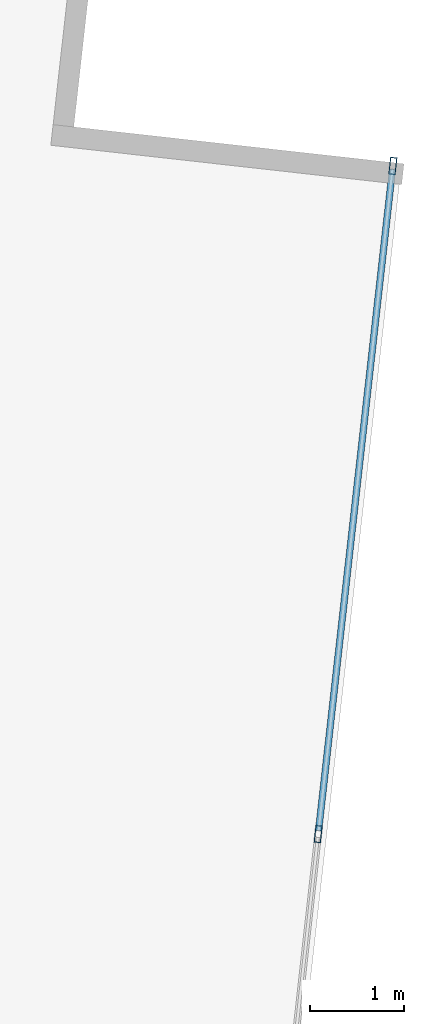
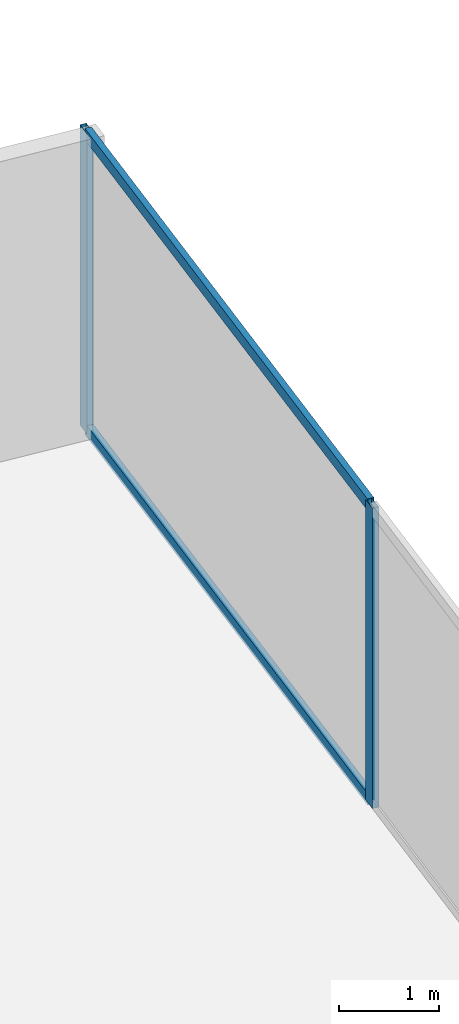
# One storey, part 21 of 29: 4 members, 1 element without a shape of its own.
"""IFC4 building model written with IfcOpenShell, lengths in metres."""

from ifc_helpers import new_model, si_unit, direction, frame, origin, origin_2d, place, context, subcontext, project, spatial, hollow_rectangle, extrude, source, transform, mapped, material, material_profile, profile_set, type_object, type_shapes, element, aggregate, save


model = new_model("IFC4")

# Units and contexts
model_context = context("Model", 3, precision=1e-05, world=origin(), true_north=direction((0.0, 1.0)))
body_context = subcontext(model_context, "Body", "Model", "MODEL_VIEW")
ifc_project = project(units=[si_unit("LENGTHUNIT", "METRE"), si_unit("AREAUNIT", "SQUARE_METRE"), si_unit("VOLUMEUNIT", "CUBIC_METRE"), si_unit("PLANEANGLEUNIT", "RADIAN"), si_unit("MASSUNIT", "GRAM", prefix="KILO")], contexts=[model_context])

# Site, building, storey
site_placement = place(None, origin())
site = spatial("IfcSite", under=ifc_project, at=site_placement, CompositionType="ELEMENT")
building_placement = place(site_placement, origin())
building = spatial("IfcBuilding", under=site, at=building_placement, Name="Krantzveldt Concourse Tower", CompositionType="ELEMENT")
storey_placement = place(building_placement, frame((0.0, 0.0, 60.550048828125)))
storey = spatial("IfcBuildingStorey", under=building, at=storey_placement, Name="L14", CompositionType="ELEMENT", Elevation=60.550048828125)

# Curtain wall, members
ifc_material = material(Name="Anodised aluminium 6063-T6", Category="aluminium")
curtain_wall_type = type_object("IfcCurtainWallType", Name="CW2", PredefinedType="USERDEFINED", material=ifc_material)
curtain_wall_placement = place(storey_placement, origin())
curtain_wall = element("IfcCurtainWall", 1, at=curtain_wall_placement, inside=storey, type_object=curtain_wall_type, Name="CW-L14-F07", ObjectType="UNITISED CURTAIN WALL", PredefinedType="USERDEFINED")
ifc_material_profile_1 = material_profile(ifc_material, hollow_rectangle(XDim=0.070068359375, YDim=0.179931640625, WallThickness=0.0048828125, at=origin_2d()), Name="Anodised aluminium 6063-T6", Category="aluminium")
ifc_profile_set_1 = profile_set([ifc_material_profile_1], Name="Anodised aluminium 6063-T6 - ALU-MULL 180x70x5")
member_type_1 = type_object("IfcMemberType", Name="CW-MUL-180", PredefinedType="MULLION", material=ifc_profile_set_1)
shared_shape_1 = source(origin(), body_context, "Body", "SweptSolid", [
    extrude(hollow_rectangle(XDim=0.070068359375, YDim=0.179931640625, WallThickness=0.0048828125, at=origin_2d()), origin(), (0.0, 0.0, 1.0), 3.669921875),
])
type_shapes(member_type_1, [shared_shape_1])
member_1_placement = place(storey_placement, frame((62.347412109375, 38.1787109375, 0.0), z_axis=(0.0, 0.0, 1.0), x_axis=(-0.993816458223, 0.111035342863, 0.0)))
member_1 = element("IfcMember", 2, at=member_1_placement, type_object=member_type_1, Name="CW-Z12 mullion 6", PredefinedType="MULLION", context=body_context, shape_type="MappedRepresentation", body=[
    mapped(shared_shape_1, transform((0.0, 0.0, 0.0), x_axis=(1.0, 0.0, 0.0), y_axis=(0.0, 1.0, 0.0), z_axis=(0.0, 0.0, 1.0), scale=1.0)),
])
member_2_placement = place(storey_placement, frame((63.139404296875, 45.266357421875, 0.0), z_axis=(0.0, 0.0, 1.0), x_axis=(-0.993816458223, 0.111035342863, 0.0)))
member_2 = element("IfcMember", 3, at=member_2_placement, type_object=member_type_1, Name="CW-Z12 mullion 7", PredefinedType="MULLION", context=body_context, shape_type="MappedRepresentation", body=[
    mapped(shared_shape_1, transform((0.0, 0.0, 0.0), x_axis=(1.0, 0.0, 0.0), y_axis=(0.0, 1.0, 0.0), z_axis=(0.0, 0.0, 1.0), scale=1.0)),
])
ifc_material_profile_2 = material_profile(ifc_material, hollow_rectangle(XDim=0.070068359375, YDim=0.139892578125, WallThickness=0.0048828125, at=origin_2d()), Name="Anodised aluminium 6063-T6", Category="aluminium")
ifc_profile_set_2 = profile_set([ifc_material_profile_2], Name="Anodised aluminium 6063-T6 - ALU-TRAN 140x70x5")
member_type_2 = type_object("IfcMemberType", Name="CW-TRN-150", PredefinedType="USERDEFINED", material=ifc_profile_set_2)
shared_shape_2 = source(origin(), body_context, "Body", "SweptSolid", [
    extrude(hollow_rectangle(XDim=0.070068359375, YDim=0.139892578125, WallThickness=0.0048828125, at=origin_2d()), origin(), (0.0, 0.0, 1.0), 7.061767578125),
])
type_shapes(member_type_2, [shared_shape_2])
member_3_placement = place(storey_placement, frame((62.351318359375, 38.213623046875, 0.034912109375), z_axis=(0.111046217254, 0.993815243208, 0.0), x_axis=(-0.993815243208, 0.111046217254, 0.0)))
member_3 = element("IfcMember", 4, at=member_3_placement, type_object=member_type_2, Name="CW-Z12 transom 6.1", ObjectType="TRANSOM", PredefinedType="USERDEFINED", context=body_context, shape_type="MappedRepresentation", body=[
    mapped(shared_shape_2, transform((0.0, 0.0, 0.0), x_axis=(1.0, 0.0, 0.0), y_axis=(0.0, 1.0, 0.0), z_axis=(0.0, 0.0, 1.0), scale=1.0)),
])
member_4_placement = place(storey_placement, frame((62.351318359375, 38.213623046875, 3.635009765625), z_axis=(0.111046217254, 0.993815243208, 0.0), x_axis=(-0.993815243208, 0.111046217254, 0.0)))
member_4 = element("IfcMember", 5, at=member_4_placement, type_object=member_type_2, Name="CW-Z12 transom 6.2", ObjectType="TRANSOM", PredefinedType="USERDEFINED", context=body_context, shape_type="MappedRepresentation", body=[
    mapped(shared_shape_2, transform((0.0, 0.0, 0.0), x_axis=(1.0, 0.0, 0.0), y_axis=(0.0, 1.0, 0.0), z_axis=(0.0, 0.0, 1.0), scale=1.0)),
])
aggregate(curtain_wall, [member_1, member_2, member_3, member_4])

save(model, "model.ifc")
